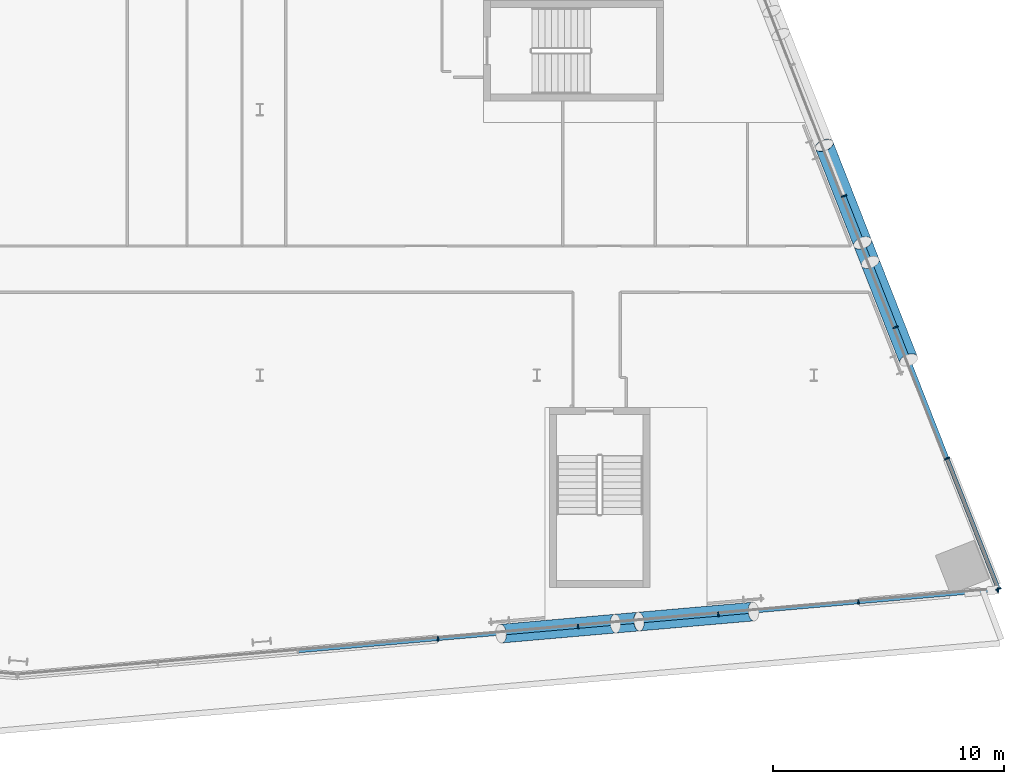
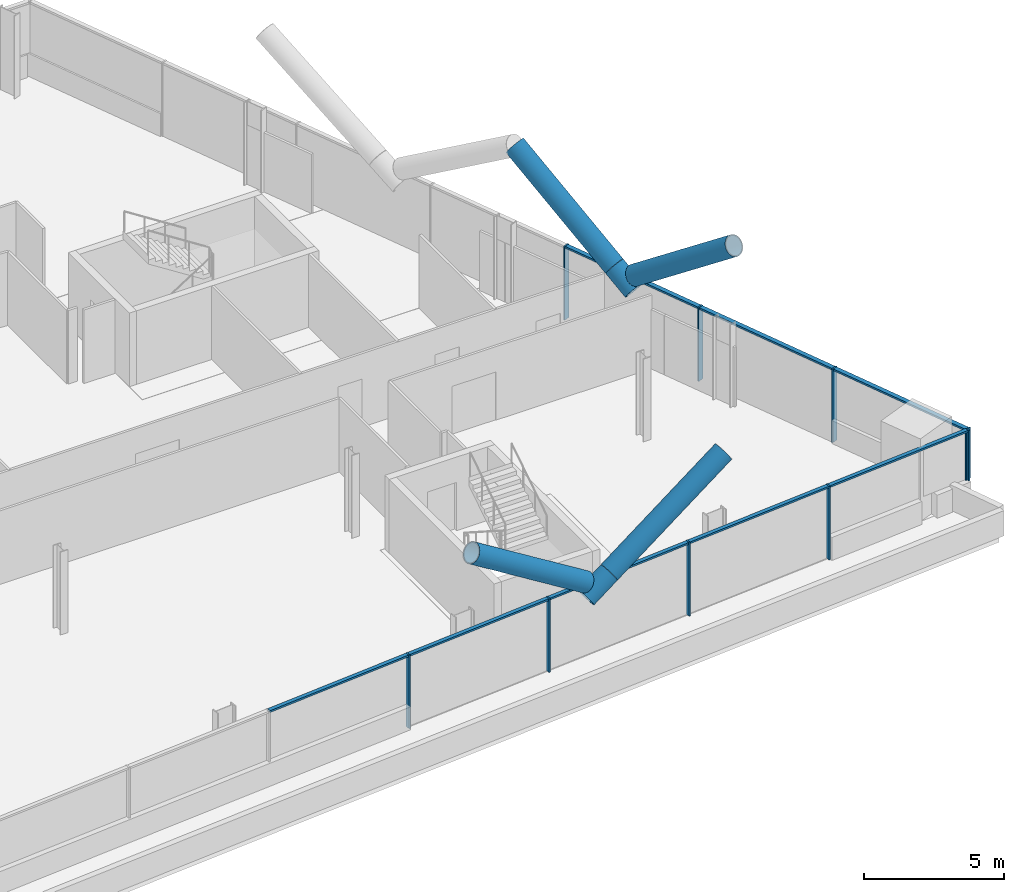
# One storey, part 7 of 26: 23 members, 2 elements without a shape of their own.
"""IFC4 building model written with IfcOpenShell, lengths in metres."""

from ifc_helpers import new_model, si_unit, direction, frame, origin, origin_2d, place, context, subcontext, project, spatial, rectangle, hollow_circle, extrude, material, material_profile, profile_set, type_object, element, aggregate, save


model = new_model("IFC4")

# Units and contexts
model_context = context("Model", 3, precision=1e-05, world=origin(), true_north=direction((0.0, 1.0)))
body_context = subcontext(model_context, "Body", "Model", "MODEL_VIEW")
ifc_project = project(units=[si_unit("LENGTHUNIT", "METRE"), si_unit("AREAUNIT", "SQUARE_METRE"), si_unit("VOLUMEUNIT", "CUBIC_METRE"), si_unit("PLANEANGLEUNIT", "RADIAN"), si_unit("MASSUNIT", "GRAM", prefix="KILO")], contexts=[model_context])

# Site, building, storey
site_placement = place(None, origin())
site = spatial("IfcSite", under=ifc_project, at=site_placement, CompositionType="ELEMENT")
building_placement = place(site_placement, origin())
building = spatial("IfcBuilding", under=site, at=building_placement, Name="Wharfspan Tower", CompositionType="ELEMENT")
storey_placement = place(building_placement, frame((0.0, 0.0, 96.699951)))
storey = spatial("IfcBuildingStorey", under=building, at=storey_placement, Name="L21", CompositionType="ELEMENT", Elevation=96.699951)

# Members
ifc_material_1 = material(Name="Steel S460NH", Category="steel")
ifc_material_profile_1 = material_profile(ifc_material_1, hollow_circle(Radius=0.406494, WallThickness=0.040039, at=origin_2d()))
ifc_profile_set_1 = profile_set([ifc_material_profile_1], Name="Steel S460NH")
member_type_1 = type_object("IfcMemberType", Name="Brace node tie CHS 813x40", PredefinedType="STRUT", material=ifc_profile_set_1)
member_1_placement = place(storey_placement, frame((75.410156, 0.733398, 2.567627), z_axis=(0.832643, 0.072982, 0.54898), x_axis=(-0.087319, 0.996182, 4e-06)))
element("IfcMember", 1, at=member_1_placement, inside=storey, type_object=member_type_1, Name="Brace node tie L21 S2", PredefinedType="STRUT", context=body_context, shape_type="SweptSolid", body=[
    extrude(hollow_circle(Radius=0.406494, WallThickness=0.040039, at=origin_2d()), origin(), (0.0, 0.0, 1.0), 1.210938),
])
member_2_placement = place(storey_placement, frame((86.439697, 16.388916, 2.578125), z_axis=(-0.296842, 0.755073, 0.584594), x_axis=(-0.930669, -0.365871, -4e-06)))
element("IfcMember", 2, at=member_2_placement, inside=storey, type_object=member_type_1, Name="Brace node tie L21 E6", PredefinedType="STRUT", context=body_context, shape_type="SweptSolid", body=[
    extrude(hollow_circle(Radius=0.406494, WallThickness=0.040039, at=origin_2d()), origin(), (0.0, 0.0, 1.0), 1.101318),
])

# Curtain wall, members
ifc_material_2 = material(Name="Aluminium 6063-T6", Category="aluminium")
curtain_wall_type_1 = type_object("IfcCurtainWallType", Name="CURTAIN WALL FACETED FRONT", PredefinedType="NOTDEFINED", material=ifc_material_2)
curtain_wall_1_placement = place(storey_placement, origin())
curtain_wall_1 = element("IfcCurtainWall", 3, at=curtain_wall_1_placement, inside=storey, type_object=curtain_wall_type_1, Name="Curtain wall S2", PredefinedType="NOTDEFINED")
ifc_material_profile_2 = material_profile(ifc_material_2, rectangle(XDim=0.199951, YDim=0.060059, at=origin_2d()))
ifc_profile_set_2 = profile_set([ifc_material_profile_2], Name="Aluminium 6063-T6")
member_type_2 = type_object("IfcMemberType", Name="MULLION FACETED FRONT 60x200", PredefinedType="MULLION", material=ifc_profile_set_2)
member_3_placement = place(storey_placement, frame((67.714355, 0.075195, 0.0), z_axis=(0.0, 0.0, 1.0), x_axis=(-0.087156, 0.996198, 0.0)))
member_3 = element("IfcMember", 4, at=member_3_placement, type_object=member_type_2, Name="Curtain wall S2 mullion 4", PredefinedType="MULLION", context=body_context, shape_type="SweptSolid", body=[
    extrude(rectangle(XDim=0.199951, YDim=0.060059, at=origin_2d()), origin(), (0.0, 0.0, 1.0), 3.199951),
])
member_4_placement = place(storey_placement, frame((73.785645, 0.606445, 0.0), z_axis=(0.0, 0.0, 1.0), x_axis=(-0.087156, 0.996198, 0.0)))
member_4 = element("IfcMember", 5, at=member_4_placement, type_object=member_type_2, Name="Curtain wall S2 mullion 5", PredefinedType="MULLION", context=body_context, shape_type="SweptSolid", body=[
    extrude(rectangle(XDim=0.199951, YDim=0.060059, at=origin_2d()), origin(), (0.0, 0.0, 1.0), 3.199951),
])
member_5_placement = place(storey_placement, frame((79.857178, 1.137695, 0.0), z_axis=(0.0, 0.0, 1.0), x_axis=(-0.087156, 0.996198, 0.0)))
member_5 = element("IfcMember", 6, at=member_5_placement, type_object=member_type_2, Name="Curtain wall S2 mullion 6", PredefinedType="MULLION", context=body_context, shape_type="SweptSolid", body=[
    extrude(rectangle(XDim=0.199951, YDim=0.060059, at=origin_2d()), origin(), (0.0, 0.0, 1.0), 3.199951),
])
member_6_placement = place(storey_placement, frame((85.928467, 1.668701, 0.0), z_axis=(0.0, 0.0, 1.0), x_axis=(-0.087156, 0.996198, 0.0)))
member_6 = element("IfcMember", 7, at=member_6_placement, type_object=member_type_2, Name="Curtain wall S2 mullion 7", PredefinedType="MULLION", context=body_context, shape_type="SweptSolid", body=[
    extrude(rectangle(XDim=0.199951, YDim=0.060059, at=origin_2d()), origin(), (0.0, 0.0, 1.0), 3.199951),
])
member_7_placement = place(storey_placement, frame((91.970215, 2.197266, 1.0), z_axis=(0.0, 0.0, 1.0), x_axis=(-0.087156, 0.996198, 0.0)))
member_7 = element("IfcMember", 8, at=member_7_placement, type_object=member_type_2, Name="Curtain wall S2 mullion 8", PredefinedType="MULLION", context=body_context, shape_type="SweptSolid", body=[
    extrude(rectangle(XDim=0.199951, YDim=0.060059, at=origin_2d()), origin(), (0.0, 0.0, 1.0), 2.199951),
])

curtain_wall_type_2 = type_object("IfcCurtainWallType", Name="CURTAIN WALL PROW AND END", PredefinedType="NOTDEFINED", material=ifc_material_2)
curtain_wall_2_placement = place(storey_placement, origin())
curtain_wall_2 = element("IfcCurtainWall", 9, at=curtain_wall_2_placement, inside=storey, type_object=curtain_wall_type_2, Name="Curtain wall E", PredefinedType="NOTDEFINED")
ifc_material_profile_3 = material_profile(ifc_material_2, rectangle(XDim=0.23999, YDim=0.060059, at=origin_2d()))
ifc_profile_set_3 = profile_set([ifc_material_profile_3], Name="Aluminium 6063-T6")
member_type_3 = type_object("IfcMemberType", Name="MULLION PROW AND END 60x240", PredefinedType="MULLION", material=ifc_profile_set_3)
member_8_placement = place(storey_placement, frame((91.989014, 2.228027, 1.0), z_axis=(0.0, 0.0, 1.0), x_axis=(-0.930702, -0.365778, 0.0)))
member_8 = element("IfcMember", 10, at=member_8_placement, type_object=member_type_3, Name="Curtain wall E mullion 1", PredefinedType="MULLION", context=body_context, shape_type="SweptSolid", body=[
    extrude(rectangle(XDim=0.23999, YDim=0.060059, at=origin_2d()), origin(), (0.0, 0.0, 1.0), 2.199951),
])
member_9_placement = place(storey_placement, frame((89.765381, 7.885742, 0.0), z_axis=(0.0, 0.0, 1.0), x_axis=(-0.930702, -0.365778, 0.0)))
member_9 = element("IfcMember", 11, at=member_9_placement, type_object=member_type_3, Name="Curtain wall E mullion 2", PredefinedType="MULLION", context=body_context, shape_type="SweptSolid", body=[
    extrude(rectangle(XDim=0.23999, YDim=0.060059, at=origin_2d()), origin(), (0.0, 0.0, 1.0), 3.199951),
])
member_10_placement = place(storey_placement, frame((87.530762, 13.571533, 0.0), z_axis=(0.0, 0.0, 1.0), x_axis=(-0.930702, -0.365778, 0.0)))
member_10 = element("IfcMember", 12, at=member_10_placement, type_object=member_type_3, Name="Curtain wall E mullion 3", PredefinedType="MULLION", context=body_context, shape_type="SweptSolid", body=[
    extrude(rectangle(XDim=0.23999, YDim=0.060059, at=origin_2d()), origin(), (0.0, 0.0, 1.0), 3.199951),
])
member_11_placement = place(storey_placement, frame((85.296387, 19.25708, 0.0), z_axis=(0.0, 0.0, 1.0), x_axis=(-0.930702, -0.365778, 0.0)))
member_11 = element("IfcMember", 13, at=member_11_placement, type_object=member_type_3, Name="Curtain wall E mullion 4", PredefinedType="MULLION", context=body_context, shape_type="SweptSolid", body=[
    extrude(rectangle(XDim=0.23999, YDim=0.060059, at=origin_2d()), origin(), (0.0, 0.0, 1.0), 3.199951),
])

# Members
ifc_material_profile_4 = material_profile(ifc_material_1, hollow_circle(Radius=0.406494, WallThickness=0.040039, at=origin_2d()))
ifc_profile_set_4 = profile_set([ifc_material_profile_4], Name="Steel S460NH")
member_type_4 = type_object("IfcMemberType", Name="Mega brace CHS 813x40", PredefinedType="BRACE", material=ifc_profile_set_4)
member_12_placement = place(storey_placement, frame((76.427002, 0.82251, 3.237793), z_axis=(0.832724, 0.07283, 0.548878), x_axis=(-0.087128, 0.996197, 1e-06)))
element("IfcMember", 14, at=member_12_placement, inside=storey, type_object=member_type_4, Name="Mega brace S2 L21 part 2", PredefinedType="BRACE", context=body_context, shape_type="SweptSolid", body=[
    extrude(hollow_circle(Radius=0.406494, WallThickness=0.040039, at=origin_2d()), origin(), (0.0, 0.0, 1.0), 5.943359),
])
member_13_placement = place(storey_placement, frame((75.401855, 0.73291, 3.237793), z_axis=(-0.832734, -0.072869, 0.548858), x_axis=(0.087173, -0.99619, 1e-06)))
element("IfcMember", 15, at=member_13_placement, inside=storey, type_object=member_type_4, Name="Mega brace S2 L21 part 4", PredefinedType="BRACE", context=body_context, shape_type="SweptSolid", body=[
    extrude(hollow_circle(Radius=0.406494, WallThickness=0.040039, at=origin_2d()), origin(), (0.0, 0.0, 1.0), 5.943604),
])
member_14_placement = place(storey_placement, frame((86.109863, 17.228027, 3.227783), z_axis=(-0.29675, 0.75507, 0.584645), x_axis=(-0.930704, -0.365779, 4e-06)))
element("IfcMember", 16, at=member_14_placement, inside=storey, type_object=member_type_4, Name="Mega brace E6 L21 part 2", PredefinedType="BRACE", context=body_context, shape_type="SweptSolid", body=[
    extrude(hollow_circle(Radius=0.406494, WallThickness=0.040039, at=origin_2d()), origin(), (0.0, 0.0, 1.0), 5.596924),
])
member_15_placement = place(storey_placement, frame((86.442627, 16.381348, 3.227783), z_axis=(0.29676, -0.755051, 0.584664), x_axis=(0.930695, 0.365797, 4e-06)))
element("IfcMember", 17, at=member_15_placement, inside=storey, type_object=member_type_4, Name="Mega brace E6 L21 part 4", PredefinedType="BRACE", context=body_context, shape_type="SweptSolid", body=[
    extrude(hollow_circle(Radius=0.406494, WallThickness=0.040039, at=origin_2d()), origin(), (0.0, 0.0, 1.0), 5.59668),
])

# Member
ifc_material_profile_5 = material_profile(ifc_material_2, rectangle(XDim=0.159912, YDim=0.080078, at=origin_2d()))
ifc_profile_set_5 = profile_set([ifc_material_profile_5], Name="Aluminium 6063-T6")
member_type_5 = type_object("IfcMemberType", Name="TRANSOM FACETED FRONT 80x160", PredefinedType="USERDEFINED", material=ifc_profile_set_5)
member_16_placement = place(storey_placement, frame((61.672852, -0.453369, 3.160156), z_axis=(0.996192, 0.087187, 0.0), x_axis=(-0.087187, 0.996192, 0.0)))
member_16 = element("IfcMember", 18, at=member_16_placement, type_object=member_type_5, Name="Curtain wall S2 transom 3", ObjectType="TRANSOM", PredefinedType="USERDEFINED", context=body_context, shape_type="SweptSolid", body=[
    extrude(rectangle(XDim=0.159912, YDim=0.080078, at=origin_2d()), origin(), (0.0, 0.0, 1.0), 6.034424),
])

member_17_placement = place(storey_placement, frame((67.744141, 0.077881, 3.160156), z_axis=(0.996196, 0.087143, 0.0), x_axis=(-0.087143, 0.996196, 0.0)))
member_17 = element("IfcMember", 19, at=member_17_placement, type_object=member_type_5, Name="Curtain wall S2 transom 4", ObjectType="TRANSOM", PredefinedType="USERDEFINED", context=body_context, shape_type="SweptSolid", body=[
    extrude(rectangle(XDim=0.159912, YDim=0.080078, at=origin_2d()), origin(), (0.0, 0.0, 1.0), 6.034668),
])

member_18_placement = place(storey_placement, frame((73.815674, 0.609131, 3.160156), z_axis=(0.996196, 0.087146, 0.0), x_axis=(-0.087146, 0.996196, 0.0)))
member_18 = element("IfcMember", 20, at=member_18_placement, type_object=member_type_5, Name="Curtain wall S2 transom 5", ObjectType="TRANSOM", PredefinedType="USERDEFINED", context=body_context, shape_type="SweptSolid", body=[
    extrude(rectangle(XDim=0.159912, YDim=0.080078, at=origin_2d()), origin(), (0.0, 0.0, 1.0), 6.034424),
])

member_19_placement = place(storey_placement, frame((79.886963, 1.140137, 3.160156), z_axis=(0.996192, 0.087183, 0.0), x_axis=(-0.087183, 0.996192, 0.0)))
member_19 = element("IfcMember", 21, at=member_19_placement, type_object=member_type_5, Name="Curtain wall S2 transom 6", ObjectType="TRANSOM", PredefinedType="USERDEFINED", context=body_context, shape_type="SweptSolid", body=[
    extrude(rectangle(XDim=0.159912, YDim=0.080078, at=origin_2d()), origin(), (0.0, 0.0, 1.0), 6.034668),
])

member_20_placement = place(storey_placement, frame((85.958496, 1.671387, 3.160156), z_axis=(0.996193, 0.087174, 0.0), x_axis=(-0.087174, 0.996193, 0.0)))
member_20 = element("IfcMember", 22, at=member_20_placement, type_object=member_type_5, Name="Curtain wall S2 transom 7", ObjectType="TRANSOM", PredefinedType="USERDEFINED", context=body_context, shape_type="SweptSolid", body=[
    extrude(rectangle(XDim=0.159912, YDim=0.080078, at=origin_2d()), origin(), (0.0, 0.0, 1.0), 6.004639),
])

aggregate(curtain_wall_1, [member_3, member_4, member_5, member_6, member_7, member_16, member_17, member_18, member_19, member_20])

ifc_material_profile_6 = material_profile(ifc_material_2, rectangle(XDim=0.179932, YDim=0.080078, at=origin_2d()))
ifc_profile_set_6 = profile_set([ifc_material_profile_6], Name="Aluminium 6063-T6")
member_type_6 = type_object("IfcMemberType", Name="TRANSOM PROW AND END 80x180", PredefinedType="USERDEFINED", material=ifc_profile_set_6)
member_21_placement = place(storey_placement, frame((91.978027, 2.255859, 3.160156), z_axis=(-0.365775, 0.930703, 0.0), x_axis=(-0.930703, -0.365775, 0.0)))
member_21 = element("IfcMember", 23, at=member_21_placement, type_object=member_type_6, Name="Curtain wall E transom 1", ObjectType="TRANSOM", PredefinedType="USERDEFINED", context=body_context, shape_type="SweptSolid", body=[
    extrude(rectangle(XDim=0.179932, YDim=0.080078, at=origin_2d()), origin(), (0.0, 0.0, 1.0), 6.019043),
])

member_22_placement = place(storey_placement, frame((89.754395, 7.913574, 3.160156), z_axis=(-0.365782, 0.9307, 0.0), x_axis=(-0.9307, -0.365782, 0.0)))
member_22 = element("IfcMember", 24, at=member_22_placement, type_object=member_type_6, Name="Curtain wall E transom 2", ObjectType="TRANSOM", PredefinedType="USERDEFINED", context=body_context, shape_type="SweptSolid", body=[
    extrude(rectangle(XDim=0.179932, YDim=0.080078, at=origin_2d()), origin(), (0.0, 0.0, 1.0), 6.049072),
])

member_23_placement = place(storey_placement, frame((87.52002, 13.599365, 3.160156), z_axis=(-0.365782, 0.9307, 0.0), x_axis=(-0.9307, -0.365782, 0.0)))
member_23 = element("IfcMember", 25, at=member_23_placement, type_object=member_type_6, Name="Curtain wall E transom 3", ObjectType="TRANSOM", PredefinedType="USERDEFINED", context=body_context, shape_type="SweptSolid", body=[
    extrude(rectangle(XDim=0.179932, YDim=0.080078, at=origin_2d()), origin(), (0.0, 0.0, 1.0), 6.049072),
])

aggregate(curtain_wall_2, [member_8, member_9, member_10, member_11, member_21, member_22, member_23])

save(model, "model.ifc")
